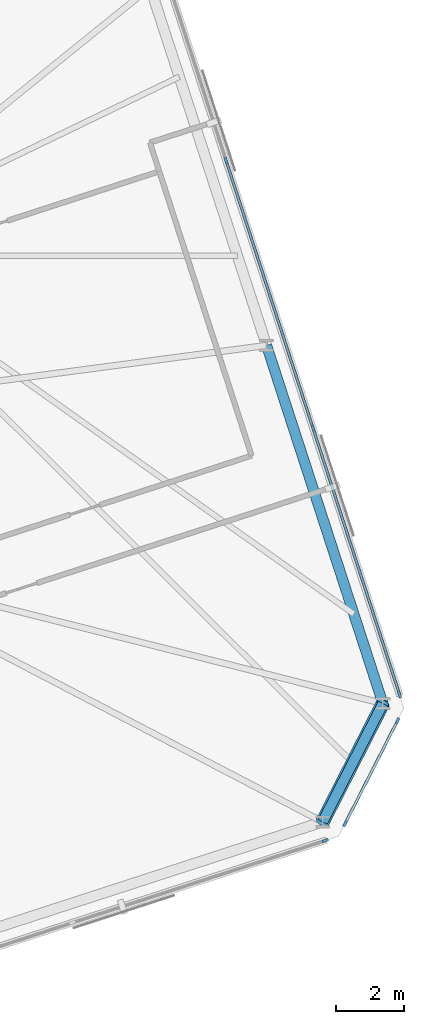
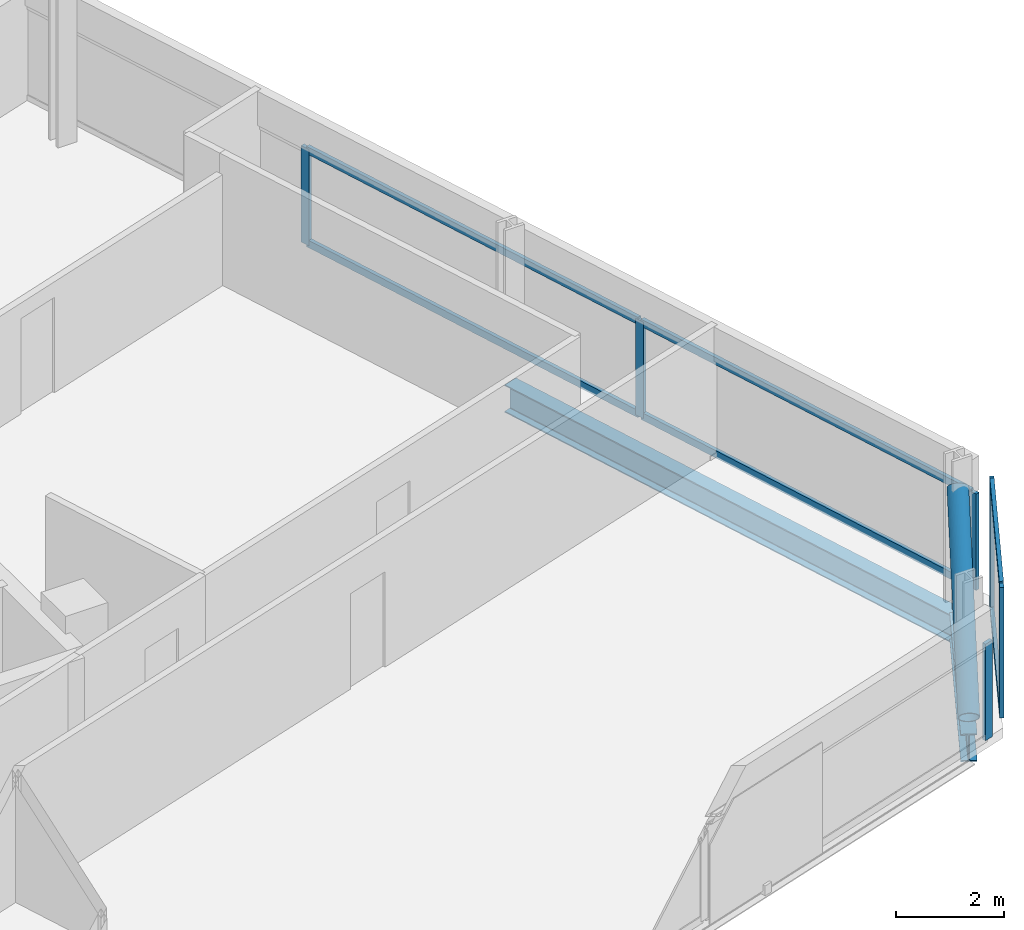
# One storey, part 11 of 19: 13 members, 2 beams, 3 elements without a shape of their own.
"""IFC4 building model written with IfcOpenShell, lengths in metres."""

from ifc_helpers import new_model, si_unit, direction, frame, origin, origin_2d, place, context, subcontext, project, spatial, rectangle, hollow_circle, i_section, extrude, material, material_profile, profile_set, type_object, element, aggregate, save


model = new_model("IFC4")

# Units and contexts
model_context = context("Model", 3, precision=1e-05, world=origin(), true_north=direction((0.0, 1.0)))
body_context = subcontext(model_context, "Body", "Model", "MODEL_VIEW")
ifc_project = project(units=[si_unit("LENGTHUNIT", "METRE"), si_unit("AREAUNIT", "SQUARE_METRE"), si_unit("VOLUMEUNIT", "CUBIC_METRE"), si_unit("PLANEANGLEUNIT", "RADIAN"), si_unit("MASSUNIT", "GRAM", prefix="KILO")], contexts=[model_context])

# Site, building, storey
site_placement = place(None, origin())
site = spatial("IfcSite", under=ifc_project, at=site_placement, CompositionType="ELEMENT")
building_placement = place(site_placement, origin())
building = spatial("IfcBuilding", under=site, at=building_placement, Name="Menara Jurai Vektor", CompositionType="ELEMENT")
storey_placement = place(building_placement, frame((0.0, 0.0, 251.10009765625)))
storey = spatial("IfcBuildingStorey", under=building, at=storey_placement, Name="L67", CompositionType="ELEMENT", Elevation=251.10009765625)

# Curtain wall, member
ifc_material_1 = material(Name="Anodised Pale Aluminium & Low-E Double Glazing", Category="aluminium")
curtain_wall_type = type_object("IfcCurtainWallType", Name="CW-BLK4", PredefinedType="NOTDEFINED", material=ifc_material_1)
curtain_wall_1_placement = place(storey_placement, origin())
curtain_wall_1 = element("IfcCurtainWall", 1, at=curtain_wall_1_placement, inside=storey, type_object=curtain_wall_type, Name="Unitised Curtain Wall L67 F01", PredefinedType="NOTDEFINED")
ifc_material_2 = material(Name="Anodised Pale Aluminium Mullion", Category="aluminium")
ifc_material_profile_1 = material_profile(ifc_material_2, rectangle(XDim=0.080078125, YDim=0.18994140625, at=origin_2d()), Name="ALU MUL 80x190")
ifc_profile_set_1 = profile_set([ifc_material_profile_1], Name="Anodised Pale Aluminium Mullion")
member_type_1 = type_object("IfcMemberType", Name="CW-BLK4-MUL", PredefinedType="MULLION", material=ifc_profile_set_1)
member_1_placement = place(storey_placement, frame((29.810546875, -12.698486328125, 0.0), z_axis=(0.0, 0.0, 1.0), x_axis=(-0.309017344167, 0.951056402641, 0.0)))
member_1 = element("IfcMember", 2, at=member_1_placement, type_object=member_type_1, Name="CW-04 mullion 8", PredefinedType="MULLION", context=body_context, shape_type="SweptSolid", body=[
    extrude(rectangle(XDim=0.080078125, YDim=0.18994140625, at=origin_2d()), origin(), (0.0, 0.0, 1.0), 2.1748046875),
])
aggregate(curtain_wall_1, [member_1])

# Curtain wall, members
curtain_wall_2_placement = place(storey_placement, origin())
curtain_wall_2 = element("IfcCurtainWall", 3, at=curtain_wall_2_placement, inside=storey, type_object=curtain_wall_type, Name="Unitised Curtain Wall L67 F02", PredefinedType="NOTDEFINED")
member_2_placement = place(storey_placement, frame((30.400634765625, -12.194580078125, 0.0), z_axis=(0.0, 0.0, 1.0), x_axis=(-0.89100750243, 0.453988579828, 0.0)))
member_2 = element("IfcMember", 4, at=member_2_placement, type_object=member_type_1, Name="CW-04 mullion 1", PredefinedType="MULLION", context=body_context, shape_type="SweptSolid", body=[
    extrude(rectangle(XDim=0.080078125, YDim=0.18994140625, at=origin_2d()), origin(), (0.0, 0.0, 1.0), 2.94482421875),
])
member_3_placement = place(storey_placement, frame((31.9453125, -9.16259765625, 0.0), z_axis=(0.0, 0.0, 1.0), x_axis=(-0.89100750243, 0.453988579828, 0.0)))
member_3 = element("IfcMember", 5, at=member_3_placement, type_object=member_type_1, Name="CW-04 mullion 2", PredefinedType="MULLION", context=body_context, shape_type="SweptSolid", body=[
    extrude(rectangle(XDim=0.080078125, YDim=0.18994140625, at=origin_2d()), origin(), (0.0, 0.0, 1.0), 2.94482421875),
])

curtain_wall_3_placement = place(storey_placement, origin())
curtain_wall_3 = element("IfcCurtainWall", 6, at=curtain_wall_3_placement, inside=storey, type_object=curtain_wall_type, Name="Unitised Curtain Wall L67 F03", PredefinedType="NOTDEFINED")
member_4_placement = place(storey_placement, frame((32.00634765625, -8.388916015625, 0.0), z_axis=(0.0, 0.0, 1.0), x_axis=(-0.95105668295, -0.309016481464, 0.0)))
member_4 = element("IfcMember", 7, at=member_4_placement, type_object=member_type_1, Name="CW-04 mullion 1", PredefinedType="MULLION", context=body_context, shape_type="SweptSolid", body=[
    extrude(rectangle(XDim=0.080078125, YDim=0.18994140625, at=origin_2d()), origin(), (0.0, 0.0, 1.0), 2.1748046875),
])
member_5_placement = place(storey_placement, frame((29.45068359375, -0.523681640625, 0.0), z_axis=(0.0, 0.0, 1.0), x_axis=(-0.95105668295, -0.309016481464, 0.0)))
member_5 = element("IfcMember", 8, at=member_5_placement, type_object=member_type_1, Name="CW-04 mullion 2", PredefinedType="MULLION", context=body_context, shape_type="SweptSolid", body=[
    extrude(rectangle(XDim=0.080078125, YDim=0.18994140625, at=origin_2d()), origin(), (0.0, 0.0, 1.0), 2.1748046875),
])
member_6_placement = place(storey_placement, frame((26.8828125, 7.379638671875, 0.0), z_axis=(0.0, 0.0, 1.0), x_axis=(-0.95105668295, -0.309016481464, 0.0)))
member_6 = element("IfcMember", 9, at=member_6_placement, type_object=member_type_1, Name="CW-04 mullion 3", PredefinedType="MULLION", context=body_context, shape_type="SweptSolid", body=[
    extrude(rectangle(XDim=0.080078125, YDim=0.18994140625, at=origin_2d()), origin(), (0.0, 0.0, 1.0), 2.1748046875),
])

# Member
ifc_material_3 = material(Name="Anodised Pale Aluminium Transom", Category="aluminium")
ifc_material_profile_2 = material_profile(ifc_material_3, rectangle(XDim=0.080078125, YDim=0.1650390625, at=origin_2d()), Name="ALU TRN 80x165")
ifc_profile_set_2 = profile_set([ifc_material_profile_2], Name="Anodised Pale Aluminium Transom")
member_type_2 = type_object("IfcMemberType", Name="CW-BLK4-TRN", PredefinedType="USERDEFINED", material=ifc_profile_set_2)
member_7_placement = place(storey_placement, frame((30.418701171875, -12.158935546875, 0.039794921875), z_axis=(0.453989617444, 0.89100697374, 0.0), x_axis=(-0.89100697374, 0.453989617444, 0.0)))
member_7 = element("IfcMember", 10, at=member_7_placement, type_object=member_type_2, Name="CW-04 transom 1.1", ObjectType="TRANSOM", PredefinedType="USERDEFINED", context=body_context, shape_type="SweptSolid", body=[
    extrude(rectangle(XDim=0.080078125, YDim=0.1650390625, at=origin_2d()), origin(), (0.0, 0.0, 1.0), 3.32275390625),
])

member_8_placement = place(storey_placement, frame((30.418701171875, -12.158935546875, 2.90478515625), z_axis=(0.453989617444, 0.89100697374, 0.0), x_axis=(-0.89100697374, 0.453989617444, 0.0)))
member_8 = element("IfcMember", 11, at=member_8_placement, type_object=member_type_2, Name="CW-04 transom 1.2", ObjectType="TRANSOM", PredefinedType="USERDEFINED", context=body_context, shape_type="SweptSolid", body=[
    extrude(rectangle(XDim=0.080078125, YDim=0.1650390625, at=origin_2d()), origin(), (0.0, 0.0, 1.0), 3.32275390625),
])

aggregate(curtain_wall_2, [member_2, member_3, member_7, member_8])

member_9_placement = place(storey_placement, frame((31.993896484375, -8.350830078125, 0.039794921875), z_axis=(-0.309010577384, 0.951058601278, 0.0), x_axis=(-0.951058601278, -0.309010577384, 0.0)))
member_9 = element("IfcMember", 12, at=member_9_placement, type_object=member_type_2, Name="CW-04 transom 1.1", ObjectType="TRANSOM", PredefinedType="USERDEFINED", context=body_context, shape_type="SweptSolid", body=[
    extrude(rectangle(XDim=0.080078125, YDim=0.1650390625, at=origin_2d()), origin(), (0.0, 0.0, 1.0), 8.18994140625),
])

member_10_placement = place(storey_placement, frame((31.993896484375, -8.350830078125, 2.135009765625), z_axis=(-0.309010577384, 0.951058601278, 0.0), x_axis=(-0.951058601278, -0.309010577384, 0.0)))
member_10 = element("IfcMember", 13, at=member_10_placement, type_object=member_type_2, Name="CW-04 transom 1.2", ObjectType="TRANSOM", PredefinedType="USERDEFINED", context=body_context, shape_type="SweptSolid", body=[
    extrude(rectangle(XDim=0.080078125, YDim=0.1650390625, at=origin_2d()), origin(), (0.0, 0.0, 1.0), 8.18994140625),
])

member_11_placement = place(storey_placement, frame((29.438232421875, -0.485595703125, 0.039794921875), z_axis=(-0.309018994408, 0.951055866443, 0.0), x_axis=(-0.951055866443, -0.309018994408, 0.0)))
member_11 = element("IfcMember", 14, at=member_11_placement, type_object=member_type_2, Name="CW-04 transom 2.1", ObjectType="TRANSOM", PredefinedType="USERDEFINED", context=body_context, shape_type="SweptSolid", body=[
    extrude(rectangle(XDim=0.080078125, YDim=0.1650390625, at=origin_2d()), origin(), (0.0, 0.0, 1.0), 8.22998046875),
])

member_12_placement = place(storey_placement, frame((29.438232421875, -0.485595703125, 2.135009765625), z_axis=(-0.309018994408, 0.951055866443, 0.0), x_axis=(-0.951055866443, -0.309018994408, 0.0)))
member_12 = element("IfcMember", 15, at=member_12_placement, type_object=member_type_2, Name="CW-04 transom 2.2", ObjectType="TRANSOM", PredefinedType="USERDEFINED", context=body_context, shape_type="SweptSolid", body=[
    extrude(rectangle(XDim=0.080078125, YDim=0.1650390625, at=origin_2d()), origin(), (0.0, 0.0, 1.0), 8.22998046875),
])

aggregate(curtain_wall_3, [member_4, member_5, member_6, member_9, member_10, member_11, member_12])

ifc_material_4 = material(Name="Steel S460", Category="steel")
ifc_material_profile_3 = material_profile(ifc_material_4, hollow_circle(Radius=0.203125, WallThickness=0.01611328125, at=origin_2d()), Name="CHS 406.4x16")
ifc_profile_set_3 = profile_set([ifc_material_profile_3], Name="Steel S460")
member_type_3 = type_object("IfcMemberType", Name="STR-BR-406", PredefinedType="BRACE", material=ifc_profile_set_3)
member_13_placement = place(storey_placement, frame((29.733642578125, -12.14501953125, 0.14990234375), z_axis=(0.385216076535, 0.756006365841, 0.52920974026), x_axis=(-0.891000997215, 0.454001346872, 0.0)))
element("IfcMember", 16, at=member_13_placement, inside=storey, type_object=member_type_3, Name="Exoskeleton Corner Brace L67-1", PredefinedType="BRACE", context=body_context, shape_type="SweptSolid", body=[
    extrude(hollow_circle(Radius=0.203125, WallThickness=0.01611328125, at=origin_2d()), origin(), (0.0, 0.0, 1.0), 4.6201171875),
])

# Beams
ifc_material_5 = material(Name="Steel S355", Category="steel")
ifc_material_profile_4 = material_profile(ifc_material_5, i_section(OverallWidth=0.306884765625, OverallDepth=0.6201171875, WebThickness=0.013916015625, FlangeThickness=0.02392578125, FilletRadius=0.01708984375, at=origin_2d()), Name="UKB 610x305x179")
ifc_profile_set_4 = profile_set([ifc_material_profile_4], Name="Steel S355")
beam_type = type_object("IfcBeamType", Name="STR-SP-610", PredefinedType="SPANDREL", material=ifc_profile_set_4)
beam_1_placement = place(storey_placement, frame((29.7333984375, -12.14501953125, -0.53515625), z_axis=(0.454050785633, 0.890975804423, 0.0), x_axis=(-0.890975804423, 0.454050785633, 0.0)))
element("IfcBeam", 17, at=beam_1_placement, inside=storey, type_object=beam_type, Name="Exoskeleton Spandrel Beam L67-06", PredefinedType="SPANDREL", context=body_context, shape_type="SweptSolid", body=[
    extrude(i_section(OverallWidth=0.306884765625, OverallDepth=0.6201171875, WebThickness=0.013916015625, FlangeThickness=0.02392578125, FilletRadius=0.01708984375, at=origin_2d()), origin(), (0.0, 0.0, 1.0), 3.92041015625),
])
beam_2_placement = place(storey_placement, frame((31.513427734375, -8.652099609375, -0.53515625), z_axis=(-0.309012092614, 0.95105810896, 0.0), x_axis=(-0.95105810896, -0.309012092614, 0.0)))
element("IfcBeam", 18, at=beam_2_placement, inside=storey, type_object=beam_type, Name="Exoskeleton Spandrel Beam L67-07", PredefinedType="SPANDREL", context=body_context, shape_type="SweptSolid", body=[
    extrude(i_section(OverallWidth=0.306884765625, OverallDepth=0.6201171875, WebThickness=0.013916015625, FlangeThickness=0.02392578125, FilletRadius=0.01708984375, at=origin_2d()), origin(), (0.0, 0.0, 1.0), 11.11865234375),
])

save(model, "model.ifc")
